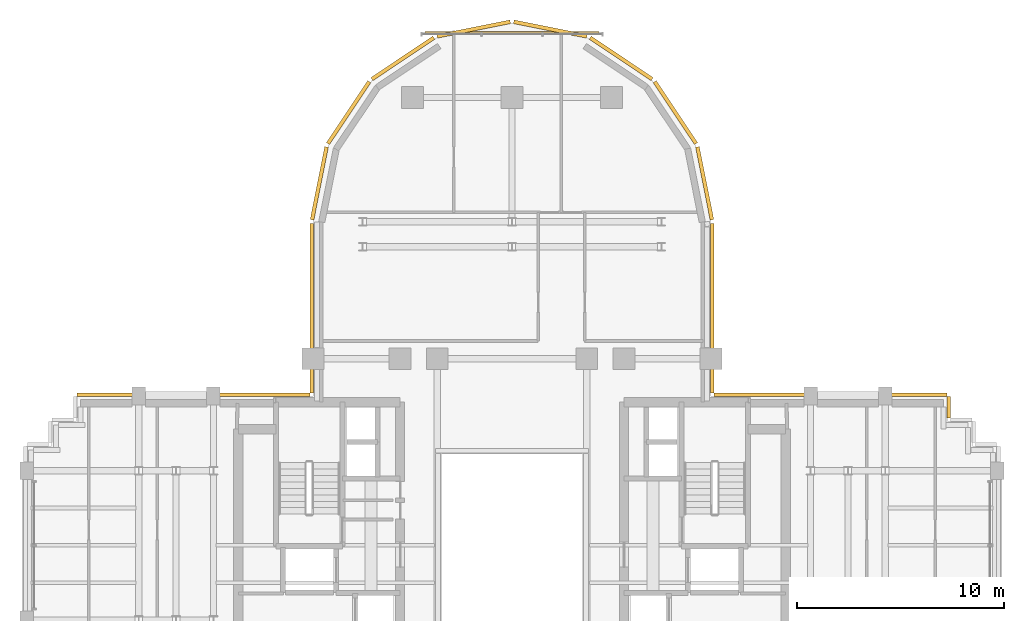
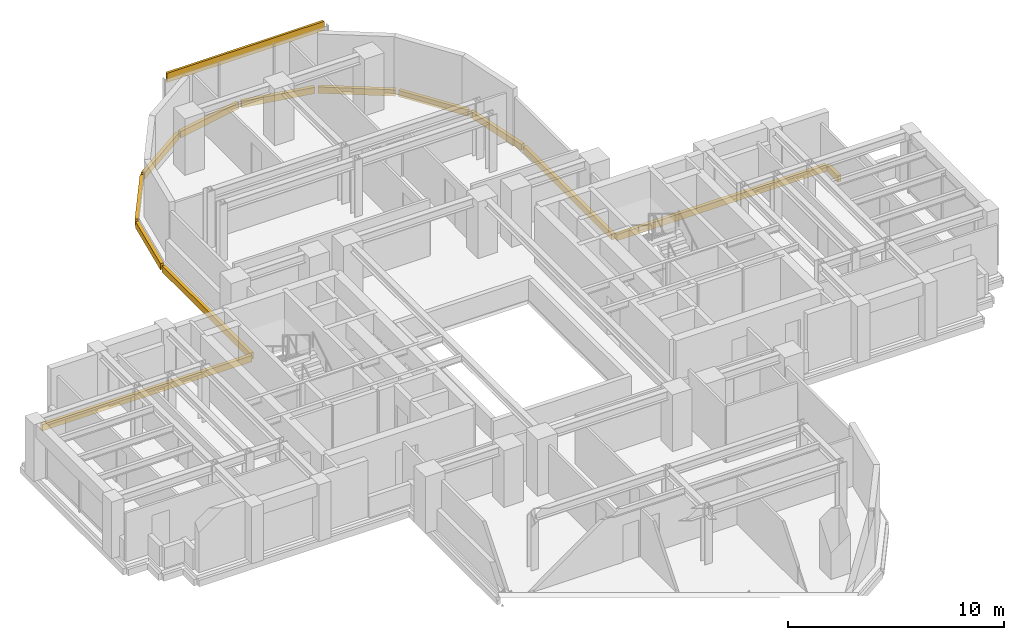
# One storey, part 14 of 14: 14 coverings.
"""IFC4 building model written with IfcOpenShell, lengths in metres."""

from ifc_helpers import new_model, si_unit, direction, frame, origin, origin_2d, place, context, subcontext, project, spatial, rectangle, extrude, source, transform, mapped, material, layer, layer_set, type_object, element, save


model = new_model("IFC4")

# Units and contexts
model_context = context("Model", 3, precision=1e-05, world=origin(), true_north=direction((0.0, 1.0)))
body_context = subcontext(model_context, "Body", "Model", "MODEL_VIEW")
ifc_project = project(units=[si_unit("LENGTHUNIT", "METRE"), si_unit("AREAUNIT", "SQUARE_METRE"), si_unit("VOLUMEUNIT", "CUBIC_METRE"), si_unit("PLANEANGLEUNIT", "RADIAN"), si_unit("MASSUNIT", "GRAM", prefix="KILO")], contexts=[model_context])

# Site, building, storey
site_placement = place(None, origin())
site = spatial("IfcSite", under=ifc_project, at=site_placement, CompositionType="ELEMENT")
building_placement = place(site_placement, origin())
building = spatial("IfcBuilding", under=site, at=building_placement, Name="Keilestroom Media Tower", CompositionType="ELEMENT")
storey_placement = place(building_placement, frame((0.0, 0.0, 117.60009765625)))
storey = spatial("IfcBuildingStorey", under=building, at=storey_placement, Name="L31", CompositionType="ELEMENT", Elevation=117.60009765625)

# Coverings
ifc_material = material(Name="Precast concrete C40/50", Category="concrete")
ifc_layer = layer(ifc_material, 0.1201171875)
ifc_layer_set = layer_set([ifc_layer], Name="Precast concrete C40/50")
covering_type = type_object("IfcCoveringType", Name="Exterior-Precast-Spandrel-Cladding-Panel-120", PredefinedType="CLADDING", material=ifc_layer_set)
shared_shape_1 = source(origin(), body_context, "Body", "SweptSolid", [
    extrude(rectangle(XDim=8.39990234375, YDim=0.1201171875, at=origin_2d()), origin(), (0.0, 0.0, 1.0), 0.52001953125),
])
covering_1_placement = place(storey_placement, frame((0.0, 24.719970703125, 2.68994140625), z_axis=(0.0, 0.0, 1.0), x_axis=(1.0, 0.0, 0.0)))
element("IfcCovering", 1, at=covering_1_placement, inside=storey, type_object=covering_type, Name="L31 Precast Spandrel Cladding N", PredefinedType="CLADDING", context=body_context, shape_type="MappedRepresentation", body=[
    mapped(shared_shape_1, transform((0.0, 0.0, 0.0), x_axis=(1.0, 0.0, 0.0), y_axis=(0.0, 1.0, 0.0), z_axis=(0.0, 0.0, 1.0), scale=1.0)),
])
shared_shape_2 = source(origin(), body_context, "Body", "SweptSolid", [
    extrude(rectangle(XDim=1.02001953125, YDim=0.179931640625, at=origin_2d()), origin(), (0.0, 0.0, 1.0), 0.360107421875),
])
covering_2_placement = place(storey_placement, frame((21.06005859375, 6.659912109375, -0.5400390625), z_axis=(0.0, 0.0, 1.0), x_axis=(0.0, -1.0, 0.0)))
element("IfcCovering", 2, at=covering_2_placement, inside=storey, type_object=covering_type, Name="L31 Precast Slab-Edge Fascia Cornice 38", PredefinedType="CLADDING", context=body_context, shape_type="MappedRepresentation", body=[
    mapped(shared_shape_2, transform((0.0, 0.0, 0.0), x_axis=(1.0, 0.0, 0.0), y_axis=(0.0, 1.0, 0.0), z_axis=(0.0, 0.0, 1.0), scale=1.0)),
])
shared_shape_3 = source(origin(), body_context, "Body", "SweptSolid", [
    extrude(rectangle(XDim=8.166015625, YDim=0.179931640625, at=origin_2d()), origin(), (0.0, 0.0, 1.0), 0.360107421875),
])
for number, where, z_axis, x_axis, name in (
    (3, (-9.659912109375, 11.43310546875, -0.5400390625), (0.0, 0.0, 1.0), (0.0, 1.0, 0.0), "L31 Precast Slab-Edge Fascia Cornice 27"),
    (4, (9.659912109375, 11.43310546875, -0.5400390625), (0.0, 0.0, 1.0), (0.0, -1.0, 0.0), "L31 Precast Slab-Edge Fascia Cornice 36"),
):
    element("IfcCovering", number, at=place(storey_placement, frame(where, z_axis=z_axis, x_axis=x_axis)), inside=storey, type_object=covering_type, Name=name, PredefinedType="CLADDING", context=body_context, shape_type="MappedRepresentation", body=[
        mapped(shared_shape_3, transform((0.0, 0.0, 0.0), x_axis=(1.0, 0.0, 0.0), y_axis=(0.0, 1.0, 0.0), z_axis=(0.0, 0.0, 1.0), scale=1.0)),
    ])
shared_shape_4 = source(origin(), body_context, "Body", "SweptSolid", [
    extrude(rectangle(XDim=3.58349609375, YDim=0.179931640625, at=origin_2d()), origin(), (0.0, 0.0, 1.0), 0.360107421875),
])
for number, where, z_axis, x_axis, name in (
    (5, (-9.29296875, 17.45166015625, -0.5400390625), (0.0, 0.0, 1.0), (0.195098880975, 0.980783577882, 0.0), "L31 Precast Slab-Edge Fascia Cornice 28"),
    (6, (9.29296875, 17.45166015625, -0.5400390625), (0.0, 0.0, 1.0), (0.195098880975, -0.980783577882, 0.0), "L31 Precast Slab-Edge Fascia Cornice 35"),
):
    element("IfcCovering", number, at=place(storey_placement, frame(where, z_axis=z_axis, x_axis=x_axis)), inside=storey, type_object=covering_type, Name=name, PredefinedType="CLADDING", context=body_context, shape_type="MappedRepresentation", body=[
        mapped(shared_shape_4, transform((0.0, 0.0, 0.0), x_axis=(1.0, 0.0, 0.0), y_axis=(0.0, 1.0, 0.0), z_axis=(0.0, 0.0, 1.0), scale=1.0)),
    ])
shared_shape_5 = source(origin(), body_context, "Body", "SweptSolid", [
    extrude(rectangle(XDim=3.589599609375, YDim=0.179931640625, at=origin_2d()), origin(), (0.0, 0.0, 1.0), 0.360107421875),
])
for number, where, z_axis, x_axis, name in (
    (7, (-7.878662109375, 20.8642578125, -0.5400390625), (0.0, 0.0, 1.0), (0.555574586577, 0.831466703332, 0.0), "L31 Precast Slab-Edge Fascia Cornice 29"),
    (8, (-5.264404296875, 23.478515625, -0.5400390625), (0.0, 0.0, 1.0), (0.831466703332, 0.555574586577, 0.0), "L31 Precast Slab-Edge Fascia Cornice 30"),
    (9, (-1.8486328125, 24.893310546875, -0.5400390625), (0.0, 0.0, 1.0), (0.980783577882, 0.195098880975, 0.0), "L31 Precast Slab-Edge Fascia Cornice 31"),
    (10, (1.8486328125, 24.893310546875, -0.5400390625), (0.0, 0.0, 1.0), (0.980783577882, -0.195098880975, 0.0), "L31 Precast Slab-Edge Fascia Cornice 32"),
    (11, (5.264404296875, 23.478515625, -0.5400390625), (0.0, 0.0, 1.0), (0.831466703332, -0.555574586577, 0.0), "L31 Precast Slab-Edge Fascia Cornice 33"),
    (12, (7.878662109375, 20.8642578125, -0.5400390625), (0.0, 0.0, 1.0), (0.555574586577, -0.831466703332, 0.0), "L31 Precast Slab-Edge Fascia Cornice 34"),
):
    element("IfcCovering", number, at=place(storey_placement, frame(where, z_axis=z_axis, x_axis=x_axis)), inside=storey, type_object=covering_type, Name=name, PredefinedType="CLADDING", context=body_context, shape_type="MappedRepresentation", body=[
        mapped(shared_shape_5, transform((0.0, 0.0, 0.0), x_axis=(1.0, 0.0, 0.0), y_axis=(0.0, 1.0, 0.0), z_axis=(0.0, 0.0, 1.0), scale=1.0)),
    ])
shared_shape_6 = source(origin(), body_context, "Body", "SweptSolid", [
    extrude(rectangle(XDim=11.219970703125, YDim=0.179931640625, at=origin_2d()), origin(), (0.0, 0.0, 1.0), 0.360107421875),
])
for number, where, z_axis, x_axis, name in (
    (13, (-15.360107421875, 7.260009765625, -0.5400390625), (0.0, 0.0, 1.0), (1.0, 0.0, 0.0), "L31 Precast Slab-Edge Fascia Cornice 26"),
    (14, (15.360107421875, 7.260009765625, -0.5400390625), (0.0, 0.0, 1.0), (1.0, 0.0, 0.0), "L31 Precast Slab-Edge Fascia Cornice 37"),
):
    element("IfcCovering", number, at=place(storey_placement, frame(where, z_axis=z_axis, x_axis=x_axis)), inside=storey, type_object=covering_type, Name=name, PredefinedType="CLADDING", context=body_context, shape_type="MappedRepresentation", body=[
        mapped(shared_shape_6, transform((0.0, 0.0, 0.0), x_axis=(1.0, 0.0, 0.0), y_axis=(0.0, 1.0, 0.0), z_axis=(0.0, 0.0, 1.0), scale=1.0)),
    ])

save(model, "model.ifc")
